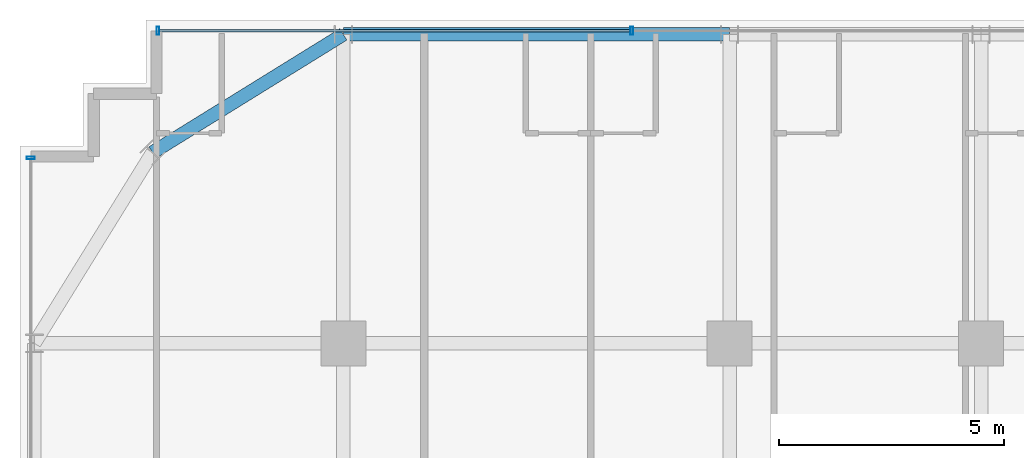
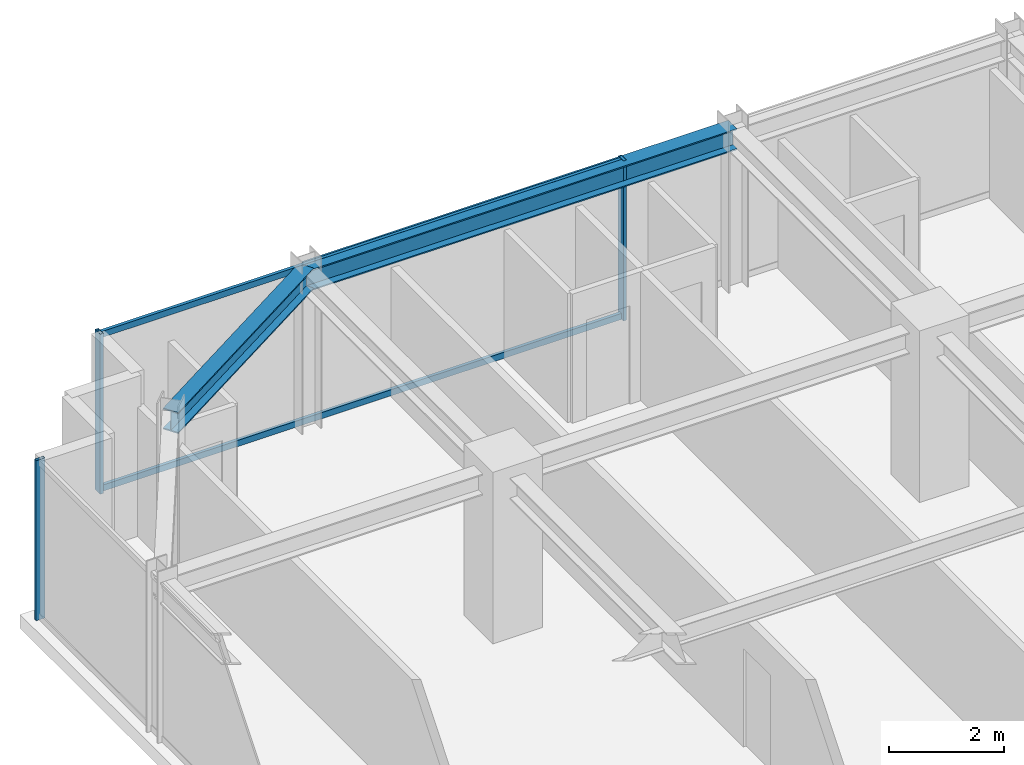
# One storey, part 20 of 34: 5 members, 2 beams, 2 elements without a shape of their own.
"""IFC4 building model written with IfcOpenShell, lengths in metres."""

from ifc_helpers import new_model, si_unit, direction, frame, origin, origin_2d, place, context, subcontext, project, spatial, hollow_rectangle, i_section, extrude, source, transform, mapped, material, material_profile, profile_set, type_object, element, aggregate, save


model = new_model("IFC4")

# Units and contexts
model_context = context("Model", 3, precision=1e-05, world=origin(), true_north=direction((0.0, 1.0)))
body_context = subcontext(model_context, "Body", "Model", "MODEL_VIEW")
ifc_project = project(units=[si_unit("LENGTHUNIT", "METRE"), si_unit("AREAUNIT", "SQUARE_METRE"), si_unit("VOLUMEUNIT", "CUBIC_METRE"), si_unit("PLANEANGLEUNIT", "RADIAN"), si_unit("MASSUNIT", "GRAM", prefix="KILO")], contexts=[model_context])

# Site, building, storey
site_placement = place(None, origin())
site = spatial("IfcSite", under=ifc_project, at=site_placement, CompositionType="ELEMENT")
building_placement = place(site_placement, origin())
building = spatial("IfcBuilding", under=site, at=building_placement, Name="Nahalor Promenade Grand Hotel", CompositionType="ELEMENT")
storey_placement = place(building_placement, frame((0.0, 0.0, 208.60009765625)))
storey = spatial("IfcBuildingStorey", under=building, at=storey_placement, Name="L53", CompositionType="ELEMENT", Elevation=208.60009765625)

# Beams
ifc_material_1 = material(Name="Steel S355JR", Category="steel")
ifc_material_profile_1 = material_profile(ifc_material_1, i_section(OverallWidth=0.3, OverallDepth=0.45, WebThickness=0.014, FlangeThickness=0.026, at=origin_2d()), Name="HEB 450")
ifc_profile_set_1 = profile_set([ifc_material_profile_1], Name="Steel S355JR")
beam_type = type_object("IfcBeamType", Name="Beam-Spandrel-HEB450", PredefinedType="SPANDREL", material=ifc_profile_set_1)
shared_shape_1 = source(origin(), body_context, "Body", "SweptSolid", [
    extrude(i_section(OverallWidth=0.3, OverallDepth=0.45, WebThickness=0.014, FlangeThickness=0.026, at=origin_2d()), origin(), (0.0, 0.0, 1.0), 8.60009765625),
])
beam_1_placement = place(storey_placement, frame((-17.0, 23.8798828125, 3.184814453125), z_axis=(1.0, 0.0, 0.0), x_axis=(0.0, 1.0, 0.0)))
element("IfcBeam", 1, at=beam_1_placement, inside=storey, type_object=beam_type, Name="BM-L53-SP-N-0", PredefinedType="SPANDREL", context=body_context, shape_type="MappedRepresentation", body=[
    mapped(shared_shape_1, transform((0.0, 0.0, 0.0), scale=1.0)),
])
shared_shape_2 = source(origin(), body_context, "Body", "SweptSolid", [
    extrude(i_section(OverallWidth=0.3, OverallDepth=0.45, WebThickness=0.014, FlangeThickness=0.026, at=origin_2d()), origin(), (0.0, 0.0, 1.0), 4.997802734375),
])
beam_2_placement = place(storey_placement, frame((-17.0, 23.8798828125, 3.184814453125), z_axis=(-0.850360908404, -0.526199891161, 0.0), x_axis=(0.526199891161, -0.850360908404, 0.0)))
element("IfcBeam", 2, at=beam_2_placement, inside=storey, type_object=beam_type, Name="BM-L53-SPC-NW-1", PredefinedType="SPANDREL", context=body_context, shape_type="MappedRepresentation", body=[
    mapped(shared_shape_2, transform((0.0, 0.0, 0.0), scale=1.0)),
])

# Curtain wall, members
ifc_material_2 = material(Name="Anodised Bronze Aluminium EN AW-6063 T6", Category="aluminium")
curtain_wall_type = type_object("IfcCurtainWallType", Name="CW2 Typical Hotel Flush Bronze Unitised Curtain Wall", PredefinedType="USERDEFINED", material=ifc_material_2)
curtain_wall_1_placement = place(storey_placement, origin())
curtain_wall_1 = element("IfcCurtainWall", 3, at=curtain_wall_1_placement, inside=storey, type_object=curtain_wall_type, Name="L53 Curtain Wall CW-L53-N-1", ObjectType="UNITISED_CURTAIN_WALL", PredefinedType="USERDEFINED")
ifc_material_profile_2 = material_profile(ifc_material_2, hollow_rectangle(XDim=0.065, YDim=0.13, WallThickness=0.004, at=origin_2d()), Name="CWT 65x130x4")
ifc_profile_set_2 = profile_set([ifc_material_profile_2], Name="Anodised Bronze Aluminium EN AW-6063 T6")
member_type_1 = type_object("IfcMemberType", Name="CWT2 Typical Bronze Transom 65x130", PredefinedType="USERDEFINED", material=ifc_profile_set_2)
shared_shape_3 = source(origin(), body_context, "Body", "SweptSolid", [
    extrude(hollow_rectangle(XDim=0.065, YDim=0.13, WallThickness=0.004, at=origin_2d()), origin(), (0.0, 0.0, 1.0), 10.482421875),
])
member_1_placement = place(storey_placement, frame((-21.094970703125, 23.9599609375, 0.06494140625), z_axis=(1.0, 0.0, 0.0), x_axis=(0.0, 1.0, 0.0)))
member_1 = element("IfcMember", 4, at=member_1_placement, type_object=member_type_1, Name="CW-L53-N-1 Transom 0-0", ObjectType="TRANSOM", PredefinedType="USERDEFINED", context=body_context, shape_type="MappedRepresentation", body=[
    mapped(shared_shape_3, transform((0.0, 0.0, 0.0), scale=1.0)),
])
member_2_placement = place(storey_placement, frame((-21.094970703125, 23.9599609375, 3.344970703125), z_axis=(1.0, 0.0, 0.0), x_axis=(0.0, 1.0, 0.0)))
member_2 = element("IfcMember", 5, at=member_2_placement, type_object=member_type_1, Name="CW-L53-N-1 Transom 0-1", ObjectType="TRANSOM", PredefinedType="USERDEFINED", context=body_context, shape_type="MappedRepresentation", body=[
    mapped(shared_shape_3, transform((0.0, 0.0, 0.0), scale=1.0)),
])
ifc_material_profile_3 = material_profile(ifc_material_2, hollow_rectangle(XDim=0.065, YDim=0.18, WallThickness=0.004, at=origin_2d()), Name="CWM 65x180x4")
ifc_profile_set_3 = profile_set([ifc_material_profile_3], Name="Anodised Bronze Aluminium EN AW-6063 T6")
member_type_2 = type_object("IfcMemberType", Name="CWM2 Typical Bronze Mullion 65x180", PredefinedType="MULLION", material=ifc_profile_set_3)
shared_shape_4 = source(origin(), body_context, "Body", "SweptSolid", [
    extrude(hollow_rectangle(XDim=0.065, YDim=0.18, WallThickness=0.004, at=origin_2d()), origin(), (0.0, 0.0, 1.0), 3.409912109375),
])
member_3_placement = place(storey_placement, frame((-21.12744140625, 23.9599609375, 0.0), z_axis=(0.0, 0.0, 1.0), x_axis=(1.0, 0.0, 0.0)))
member_3 = element("IfcMember", 6, at=member_3_placement, type_object=member_type_2, Name="CW-L53-N-1 Mullion 0", PredefinedType="MULLION", context=body_context, shape_type="MappedRepresentation", body=[
    mapped(shared_shape_4, transform((0.0, 0.0, 0.0), scale=1.0)),
])
member_4_placement = place(storey_placement, frame((-10.580078125, 23.9599609375, 0.0), z_axis=(0.0, 0.0, 1.0), x_axis=(1.0, 0.0, 0.0)))
member_4 = element("IfcMember", 7, at=member_4_placement, type_object=member_type_2, Name="CW-L53-N-1 Mullion 1", PredefinedType="MULLION", context=body_context, shape_type="MappedRepresentation", body=[
    mapped(shared_shape_4, transform((0.0, 0.0, 0.0), scale=1.0)),
])
aggregate(curtain_wall_1, [member_3, member_4, member_1, member_2])

# Curtain wall, member
curtain_wall_2_placement = place(storey_placement, origin())
curtain_wall_2 = element("IfcCurtainWall", 8, at=curtain_wall_2_placement, inside=storey, type_object=curtain_wall_type, Name="L53 Curtain Wall CW-L53-W-1", ObjectType="UNITISED_CURTAIN_WALL", PredefinedType="USERDEFINED")
member_5_placement = place(storey_placement, frame((-23.9599609375, 21.12744140625, 0.0), z_axis=(0.0, 0.0, 1.0), x_axis=(0.0, 1.0, 0.0)))
member_5 = element("IfcMember", 9, at=member_5_placement, type_object=member_type_2, Name="CW-L53-W-1 Mullion 4", PredefinedType="MULLION", context=body_context, shape_type="MappedRepresentation", body=[
    mapped(shared_shape_4, transform((0.0, 0.0, 0.0), scale=1.0)),
])
aggregate(curtain_wall_2, [member_5])

save(model, "model.ifc")
